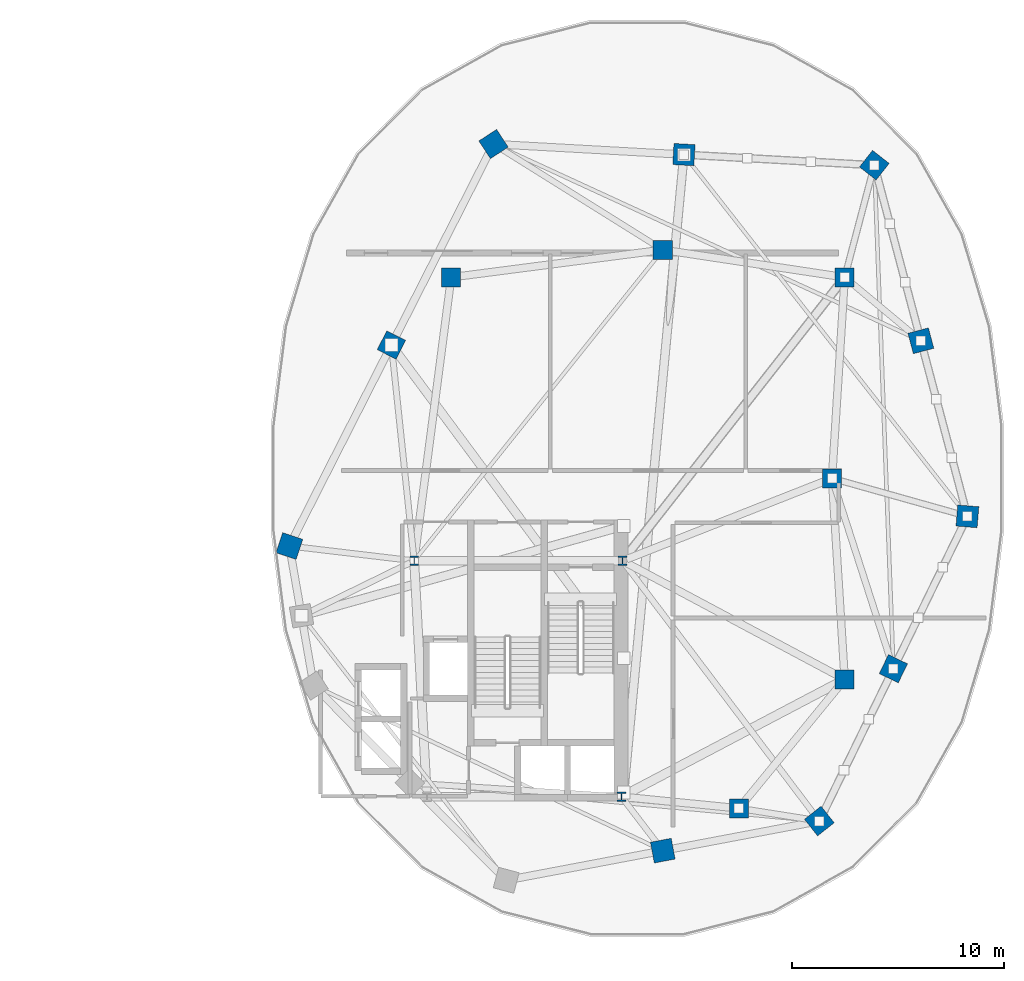
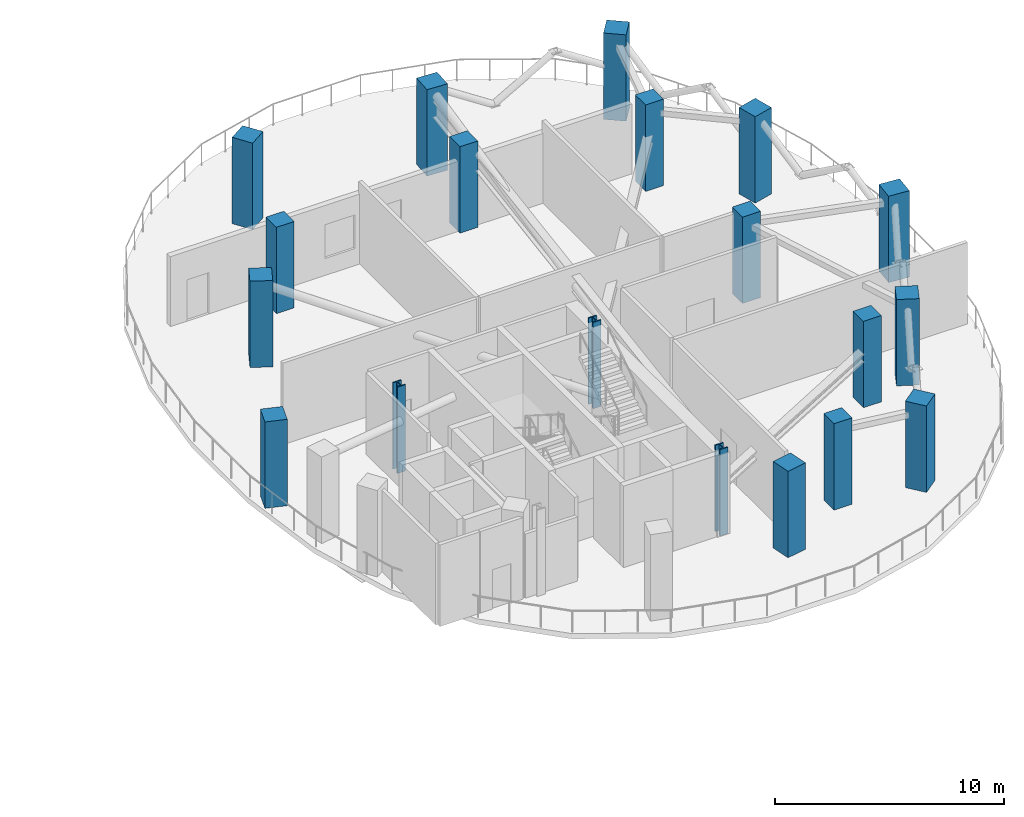
# One storey, part 2 of 14: 19 columns.
"""IFC4 building model written with IfcOpenShell, lengths in metres."""

from ifc_helpers import new_model, si_unit, direction, frame, origin, origin_2d, place, context, subcontext, project, spatial, rectangle, i_section, extrude, material, material_profile, profile_set, type_object, element, save


model = new_model("IFC4")

# Units and contexts
model_context = context("Model", 3, precision=1e-05, world=origin(), true_north=direction((0.0, 1.0)))
body_context = subcontext(model_context, "Body", "Model", "MODEL_VIEW")
ifc_project = project(units=[si_unit("LENGTHUNIT", "METRE"), si_unit("AREAUNIT", "SQUARE_METRE"), si_unit("VOLUMEUNIT", "CUBIC_METRE"), si_unit("PLANEANGLEUNIT", "RADIAN"), si_unit("MASSUNIT", "GRAM", prefix="KILO"), si_unit("THERMODYNAMICTEMPERATUREUNIT", "KELVIN"), si_unit("POWERUNIT", "WATT")], contexts=[model_context])

# Site, building, storey
site_placement = place(None, origin())
site = spatial("IfcSite", under=ifc_project, at=site_placement, CompositionType="ELEMENT")
building_placement = place(site_placement, origin())
building = spatial("IfcBuilding", under=site, at=building_placement, Name="Cundina Bronze Exchange", CompositionType="ELEMENT")
storey_placement = place(building_placement, frame((0.0, 0.0, 187.199951171875)))
storey = spatial("IfcBuildingStorey", under=building, at=storey_placement, Name="L49", CompositionType="ELEMENT", Elevation=187.199951171875)

# Columns
ifc_material_1 = material(Name="Steel ASTM A992 Grade 50", Category="steel")
ifc_material_profile_1 = material_profile(ifc_material_1, i_section(OverallWidth=0.416015625, OverallDepth=0.446044921875, WebThickness=0.0390625, FlangeThickness=0.062744140625, FilletRadius=0.01806640625, at=origin_2d()), Name="W14X342", Category="steel")
ifc_profile_set_1 = profile_set([ifc_material_profile_1], Name="Steel ASTM A992 Grade 50")
column_type_1 = type_object("IfcColumnType", Name="COL-STL-W14B", PredefinedType="COLUMN", material=ifc_profile_set_1)
for number, where, z_axis, x_axis, name in (
    (1, (31.300048828125, -3.89990234375, 0.0), (0.0, 0.0, 1.0), (1.0, 0.0, 0.0), "L49 Core Anchor Column E1"),
    (2, (21.449951171875, -3.89990234375, 0.0), (0.0, 0.0, 1.0), (1.0, 0.0, 0.0), "L49 Core Anchor Column E2"),
    (3, (31.25, -15.050048828125, 0.0), (0.0, 0.0, 1.0), (1.0, 0.0, 0.0), "L49 Core Anchor Column E4"),
):
    element("IfcColumn", number, at=place(storey_placement, frame(where, z_axis=z_axis, x_axis=x_axis)), inside=storey, type_object=column_type_1, Name=name, PredefinedType="COLUMN", context=body_context, shape_type="SweptSolid", body=[
        extrude(i_section(OverallWidth=0.416015625, OverallDepth=0.446044921875, WebThickness=0.0390625, FlangeThickness=0.062744140625, FilletRadius=0.01806640625, at=origin_2d()), origin(), (0.0, 0.0, 1.0), 4.60009765625),
    ])
ifc_material_2 = material(Name="Concrete C50/60", Category="concrete")
ifc_material_profile_2 = material_profile(ifc_material_2, rectangle(XDim=1.0, YDim=1.0, at=origin_2d()), Name="RC1000X1000", Category="concrete")
ifc_profile_set_2 = profile_set([ifc_material_profile_2], Name="Concrete C50/60")
column_type_2 = type_object("IfcColumnType", Name="COL-Z3-1000", PredefinedType="COLUMN", material=ifc_profile_set_2)
for number, where, z_axis, x_axis, name in (
    (4, (15.550048828125, -3.199951171875, 0.0), (0.0, 0.0, 1.0), (-0.315152163383, -0.949041155016, 0.0), "L49 E Perimeter Column 00"),
    (5, (33.199951171875, -17.60009765625, 0.0), (0.0, 0.0, 1.0), (0.98258037664, 0.185838110843, 0.0), "L49 E Perimeter Column 05"),
    (6, (40.60009765625, -16.199951171875, 0.0), (0.0, 0.0, 1.0), (0.785100778485, 0.619368038909, 0.0), "L49 E Perimeter Column 06"),
    (7, (44.10009765625, -9.0, 0.0), (0.0, 0.0, 1.0), (0.437115766651, 0.899405251566, 0.0), "L49 E Perimeter Column 07"),
    (8, (47.60009765625, -1.800048828125, 0.0), (0.0, 0.0, 1.0), (0.083503921245, 0.996507448611, 0.0), "L49 E Perimeter Column 08"),
    (9, (45.39990234375, 6.5, 0.0), (0.0, 0.0, 1.0), (-0.256289373133, 0.966600102017, 0.0), "L49 E Perimeter Column 09"),
    (10, (43.199951171875, 14.800048828125, 0.0), (0.0, 0.0, 1.0), (-0.786288432137, 0.61785961309, 0.0), "L49 E Perimeter Column 10"),
    (11, (34.199951171875, 15.300048828125, 0.0), (0.0, 0.0, 1.0), (-0.998460188734, 0.055472980025, 0.0), "L49 E Perimeter Column 11"),
    (12, (25.199951171875, 15.800048828125, 0.0), (0.0, 0.0, 1.0), (-0.838099763533, -0.545516989988, 0.0), "L49 E Perimeter Column 12"),
    (13, (20.375, 6.300048828125, 0.0), (0.0, 0.0, 1.0), (-0.452901591366, -0.891560513111, 0.0), "L49 E Perimeter Column 13"),
):
    element("IfcColumn", number, at=place(storey_placement, frame(where, z_axis=z_axis, x_axis=x_axis)), inside=storey, type_object=column_type_2, Name=name, PredefinedType="COLUMN", context=body_context, shape_type="SweptSolid", body=[
        extrude(rectangle(XDim=1.0, YDim=1.0, at=origin_2d()), origin(), (0.0, 0.0, 1.0), 4.60009765625),
    ])
ifc_material_profile_3 = material_profile(ifc_material_2, rectangle(XDim=0.89990234375, YDim=0.89990234375, at=origin_2d()), Name="RC900X900", Category="concrete")
ifc_profile_set_3 = profile_set([ifc_material_profile_3], Name="Concrete C50/60")
column_type_3 = type_object("IfcColumnType", Name="COL-Z4-900", PredefinedType="COLUMN", material=ifc_profile_set_3)
for number, where, z_axis, x_axis, name in (
    (14, (41.199951171875, 0.0, 0.0), (0.0, 0.0, 1.0), (1.0, 0.0, 0.0), "L49 E Inner Ring Column 1"),
    (15, (41.800048828125, -9.5, 0.0), (0.0, 0.0, 1.0), (1.0, 0.0, 0.0), "L49 E Inner Ring Column 2"),
    (16, (36.800048828125, -15.60009765625, 0.0), (0.0, 0.0, 1.0), (1.0, 0.0, 0.0), "L49 E Inner Ring Column 3"),
    (17, (41.800048828125, 9.5, 0.0), (0.0, 0.0, 1.0), (1.0, 0.0, 0.0), "L49 E Inner Ring Column 4"),
    (18, (33.199951171875, 10.800048828125, 0.0), (0.0, 0.0, 1.0), (1.0, 0.0, 0.0), "L49 E Inner Ring Column 5"),
    (19, (23.199951171875, 9.5, 0.0), (0.0, 0.0, 1.0), (1.0, 0.0, 0.0), "L49 E Inner Ring Column 6"),
):
    element("IfcColumn", number, at=place(storey_placement, frame(where, z_axis=z_axis, x_axis=x_axis)), inside=storey, type_object=column_type_3, Name=name, PredefinedType="COLUMN", context=body_context, shape_type="SweptSolid", body=[
        extrude(rectangle(XDim=0.89990234375, YDim=0.89990234375, at=origin_2d()), origin(), (0.0, 0.0, 1.0), 4.60009765625),
    ])

save(model, "model.ifc")
